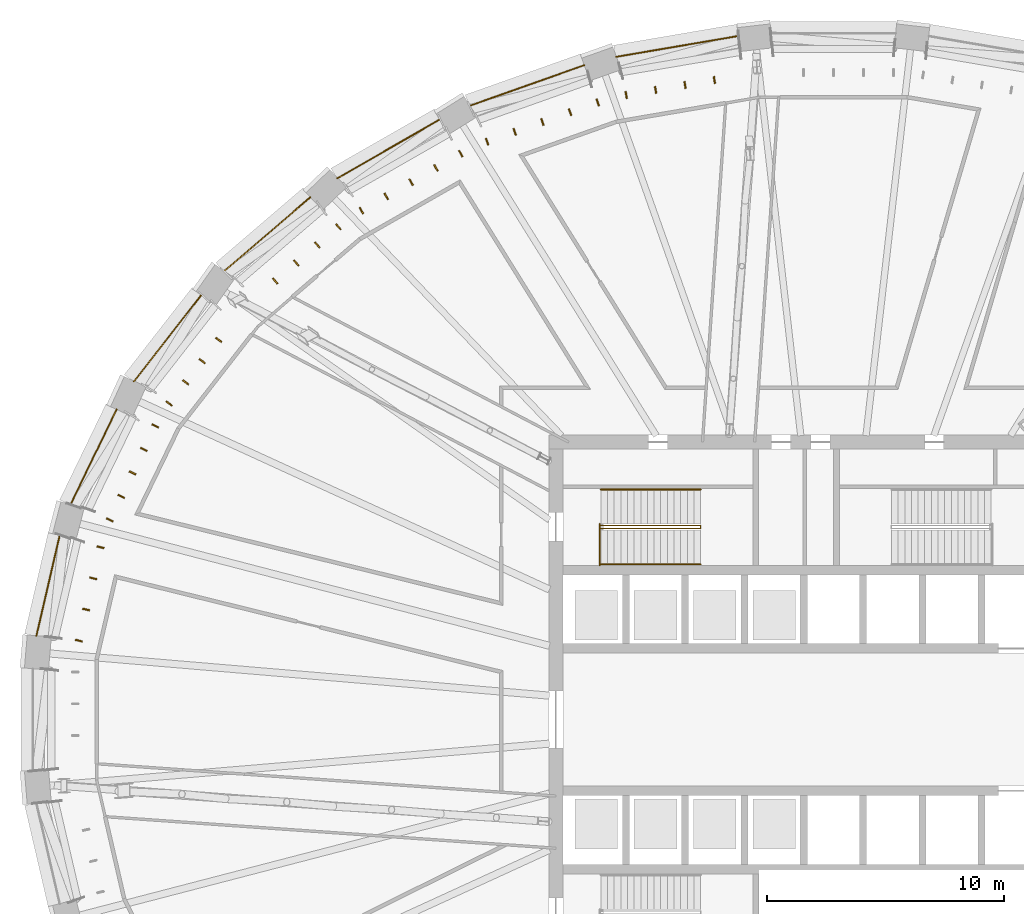
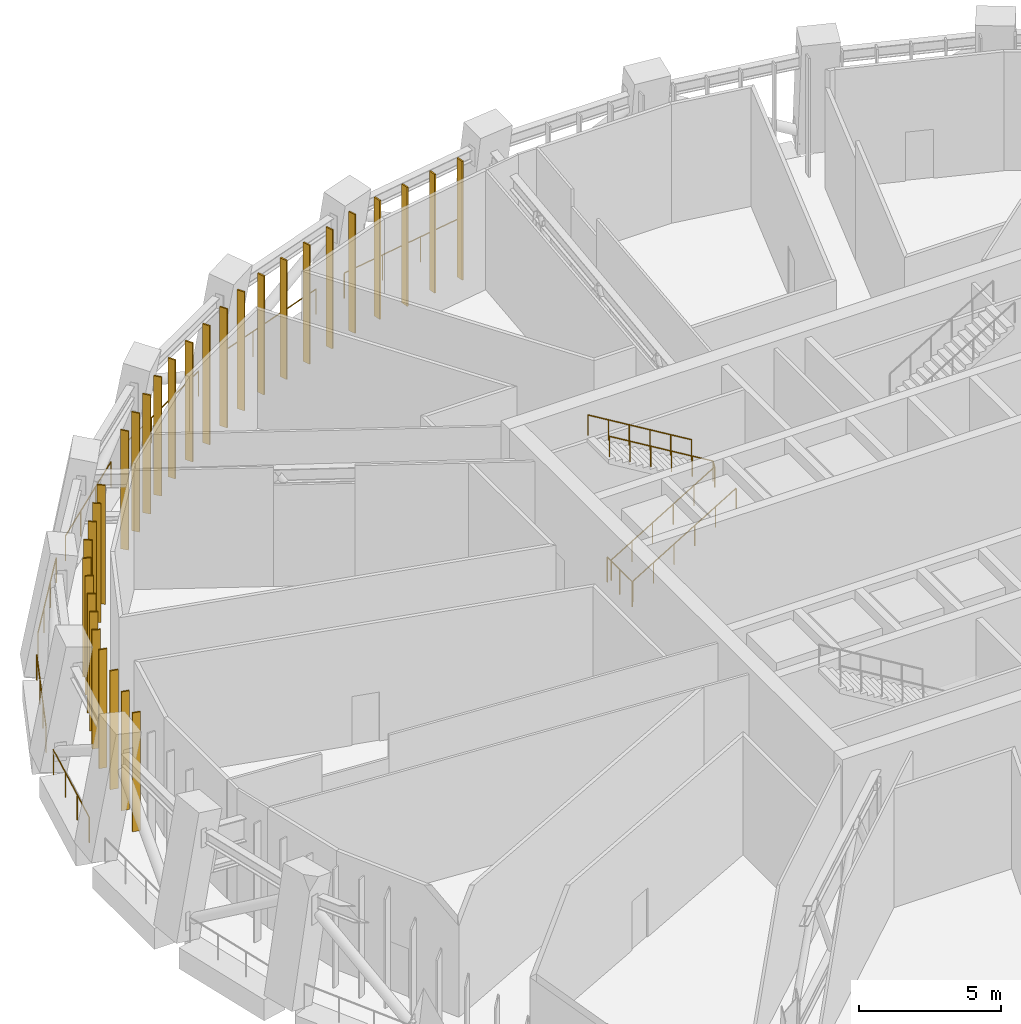
# One storey, part 18 of 21: 31 shading devices, 11 railings.
"""IFC4 building model written with IfcOpenShell, lengths in metres."""

import ifcopenshell
import ifcopenshell.guid

model = None  # the IFC model being written
_history = None  # IfcOwnerHistory: only IFC2X3 demands one
_inside = {}  # id of a spatial element -> (the spatial element, [elements in it])
_under = {}  # id of a project, library or spatial element -> (it, [spatial elements below it])
_declared = {}  # id of a project -> (the project, [libraries it declares])
_typed = {}  # id of a type object -> (the type object, [elements of that type])
_made_of = {}  # id of a material, layer set ... -> (it, [elements and type objects made of it])


def new_model(schema):
    """Start an empty IFC model of exactly this schema.

    Asked for "IFC4X3", IfcOpenShell would pick the latest addendum, in which some entities
    have other attributes; the version numbers below select the first issue.
    IFC2X3 requires an IfcOwnerHistory on every rooted entity: one is made here for all.
    """
    global model, _history
    if schema == "IFC4X3":
        model = ifcopenshell.file(schema_version=(4, 3, 0, 0))
    else:
        model = ifcopenshell.file(schema=schema)
    _inside.clear()
    _under.clear()
    _declared.clear()
    _typed.clear()
    _made_of.clear()
    _history = None
    if model.schema == "IFC2X3":
        org = make("IfcOrganization", Name="unknown")
        user = make(
            "IfcPersonAndOrganization",
            ThePerson=make("IfcPerson", FamilyName="unknown"),
            TheOrganization=org,
        )
        app = make(
            "IfcApplication",
            ApplicationDeveloper=org,
            Version="unknown",
            ApplicationFullName="unknown",
            ApplicationIdentifier="unknown",
        )
        _history = make(
            "IfcOwnerHistory",
            OwningUser=user,
            OwningApplication=app,
            ChangeAction="ADDED",
            CreationDate=0,
        )
    return model


def make(cls, **values):
    """One entity of the class cls with the attributes given. An attribute that is None is left unset."""
    return model.create_entity(
        cls, **{name: value for name, value in values.items() if value is not None}
    )


def rooted(cls, **values):
    """An entity with a GlobalId (a new one), such as an element, a storey or a relation."""
    return make(cls, GlobalId=ifcopenshell.guid.new(), OwnerHistory=_history, **values)


def si_unit(unit_type, name, prefix=None):
    """IfcSIUnit, for example si_unit("LENGTHUNIT", "METRE", prefix="MILLI")."""
    return make("IfcSIUnit", UnitType=unit_type, Prefix=prefix, Name=name)


def assignment(units):
    """IfcUnitAssignment: the units of a project."""
    return None if units is None else make("IfcUnitAssignment", Units=units)


def point(xyz):
    """IfcCartesianPoint."""
    return None if xyz is None else make("IfcCartesianPoint", Coordinates=xyz)


def direction(xyz):
    """IfcDirection."""
    return None if xyz is None else make("IfcDirection", DirectionRatios=xyz)


def frame(location, z_axis=None, x_axis=None):
    """IfcAxis2Placement3D, a coordinate frame: its origin and axes. An axis left out is left unset."""
    return make(
        "IfcAxis2Placement3D",
        Location=point(location),
        Axis=direction(z_axis),
        RefDirection=direction(x_axis),
    )


def frame_2d(location, x_axis=None):
    """IfcAxis2Placement2D, a coordinate frame in the plane: its origin and x axis."""
    return make(
        "IfcAxis2Placement2D", Location=point(location), RefDirection=direction(x_axis)
    )


def origin():
    """The frame at (0, 0, 0) with its axes left unset."""
    return frame((0.0, 0.0, 0.0))


def origin_2d():
    """The frame at (0, 0) in the plane with its x axis left unset."""
    return frame_2d((0.0, 0.0))


def place(relative_to, where):
    """IfcLocalPlacement: puts the frame where relative to a parent placement (None: the world)."""
    return make(
        "IfcLocalPlacement", PlacementRelTo=relative_to, RelativePlacement=where
    )


def context(
    kind, dimensions, precision=None, world=None, true_north=None, identifier=None
):
    """IfcGeometricRepresentationContext, for example the 3D "Model" context."""
    return make(
        "IfcGeometricRepresentationContext",
        ContextIdentifier=identifier,
        ContextType=kind,
        CoordinateSpaceDimension=dimensions,
        Precision=precision,
        WorldCoordinateSystem=world,
        TrueNorth=true_north,
    )


def subcontext(parent, identifier, kind, view, scale=None):
    """IfcGeometricRepresentationSubContext, for example "Body" below "Model"."""
    return make(
        "IfcGeometricRepresentationSubContext",
        ContextIdentifier=identifier,
        ContextType=kind,
        ParentContext=parent,
        TargetScale=scale,
        TargetView=view,
    )


def project(units=None, contexts=None):
    """IfcProject with its units and contexts."""
    return rooted(
        "IfcProject",
        Name="project",
        RepresentationContexts=contexts,
        UnitsInContext=assignment(units),
    )


def spatial(cls, under=None, at=None, **own):
    """A site, building, storey or space (cls), placed at a placement, below another one or the project."""
    s = rooted(cls, ObjectPlacement=at, **own)
    if under is not None:
        _under.setdefault(under.id(), (under, []))[1].append(s)
    return s


def profile(cls, at=None, kind="AREA", **sizes):
    """A parametric profile (cls). Its sizes go by their IFC names, for example OverallWidth=200.0."""
    return make(cls, ProfileType=kind, Position=at, **sizes)


def rectangle(**sizes):
    """IfcRectangleProfileDef."""
    return profile("IfcRectangleProfileDef", **sizes)


def circle(**sizes):
    """IfcCircleProfileDef."""
    return profile("IfcCircleProfileDef", **sizes)


def extrude(swept, where, along, depth):
    """IfcExtrudedAreaSolid: the profile swept, set in the frame where, extruded along a direction by depth."""
    return make(
        "IfcExtrudedAreaSolid",
        SweptArea=swept,
        Position=where,
        ExtrudedDirection=direction(along),
        Depth=depth,
    )


def shape(context_of_items, identifier, shape_type, items):
    """IfcShapeRepresentation: the items that make up one representation, for example the "Body"."""
    return make(
        "IfcShapeRepresentation",
        ContextOfItems=context_of_items,
        RepresentationIdentifier=identifier,
        RepresentationType=shape_type,
        Items=items,
    )


def material(Name=None, Category=None):
    """IfcMaterial."""
    return make("IfcMaterial", Name=Name, Category=Category)


def material_profile(
    of_material, cross_section, Name=None, Category=None, Priority=None
):
    """IfcMaterialProfile: a cross section and its material."""
    return make(
        "IfcMaterialProfile",
        Name=Name,
        Material=of_material,
        Profile=cross_section,
        Priority=Priority,
        Category=Category,
    )


def profile_set(profiles, Name=None, composite=None):
    """IfcMaterialProfileSet."""
    return make(
        "IfcMaterialProfileSet",
        Name=Name,
        MaterialProfiles=profiles,
        CompositeProfile=composite,
    )


def made_of(thing, what):
    """Note that an element or type object is made of a material, layer set ...; save() writes the relation."""
    if what is not None:
        _made_of.setdefault(what.id(), (what, []))[1].append(thing)
    return thing


def type_object(cls, material=None, **own):
    """A type object (cls), such as IfcWallType, which elements share."""
    return made_of(rooted(cls, **own), material)


def element(
    cls,
    number,
    at=None,
    inside=None,
    cuts=None,
    type_object=None,
    material=None,
    context=None,
    identifier="Body",
    shape_type=None,
    held_by="IfcProductDefinitionShape",
    body=None,
    shapes=None,
    **own,
):
    """One element of the class cls, such as IfcWall. Its Tag is "e" and its number.

    at: its placement. inside: the storey or other place that contains it. cuts: it is an
    opening in that element (IfcRelVoidsElement). A single representation is given by context,
    identifier, shape_type and body (its items); several are given by shapes. held_by: the class
    of the entity that holds the representations. save() writes the other relations.
    """
    e = rooted(cls, Tag="e%d" % number, ObjectPlacement=at, **own)
    if body is not None:
        shapes = [shape(context, identifier, shape_type, body)]
    if shapes is not None:
        e.Representation = make(held_by, Representations=shapes)
    if inside is not None:
        _inside.setdefault(inside.id(), (inside, []))[1].append(e)
    if cuts is not None:
        rooted(
            "IfcRelVoidsElement", RelatingBuildingElement=cuts, RelatedOpeningElement=e
        )
    if type_object is not None:
        _typed.setdefault(type_object.id(), (type_object, []))[1].append(e)
    return made_of(e, material)


def aggregate(whole, parts):
    """IfcRelAggregates: a whole, such as a stair, and the parts it consists of."""
    return rooted("IfcRelAggregates", RelatingObject=whole, RelatedObjects=parts)


def save(model, path):
    """Write the relations noted so far, then the file.

    IfcRelAggregates (storeys below a building ...), IfcRelContainedInSpatialStructure (elements
    in a storey), IfcRelDefinesByType, IfcRelAssociatesMaterial and IfcRelDeclares: one each for
    every whole, place, type object, material and project.
    """
    for whole, parts in _under.values():
        aggregate(whole, parts)
    for where, things in _inside.values():
        rooted(
            "IfcRelContainedInSpatialStructure",
            RelatedElements=things,
            RelatingStructure=where,
        )
    for kind, things in _typed.values():
        rooted("IfcRelDefinesByType", RelatedObjects=things, RelatingType=kind)
    for what, things in _made_of.values():
        rooted("IfcRelAssociatesMaterial", RelatedObjects=things, RelatingMaterial=what)
    for by, libraries in _declared.values():
        rooted("IfcRelDeclares", RelatingContext=by, RelatedDefinitions=libraries)
    model.write(path)


model = new_model("IFC4")

# Units and contexts
model_context = context("Model", 3, precision=1e-05, world=origin(), true_north=direction((0.0, 1.0)))
body_context = subcontext(model_context, "Body", "Model", "MODEL_VIEW")
ifc_project = project(units=[si_unit("LENGTHUNIT", "METRE"), si_unit("AREAUNIT", "SQUARE_METRE"), si_unit("VOLUMEUNIT", "CUBIC_METRE"), si_unit("PLANEANGLEUNIT", "RADIAN"), si_unit("MASSUNIT", "GRAM", prefix="KILO")], contexts=[model_context])

# Site, building, storey
site_placement = place(None, origin())
site = spatial("IfcSite", under=ifc_project, at=site_placement, CompositionType="ELEMENT")
building_placement = place(site_placement, origin())
building = spatial("IfcBuilding", under=site, at=building_placement, Name="Halqa Exchange Tower", CompositionType="ELEMENT")
storey_placement = place(building_placement, frame((0.0, 0.0, 173.5)))
storey = spatial("IfcBuildingStorey", under=building, at=storey_placement, Name="L39", CompositionType="ELEMENT", Elevation=173.5)

# Shading devices
ifc_material_1 = material(Name="Anodised aluminium", Category="aluminium")
ifc_material_profile = material_profile(ifc_material_1, rectangle(XDim=0.300048828125, YDim=0.06005859375, at=origin_2d()), Name="AL FIN 300x60")
ifc_profile_set = profile_set([ifc_material_profile], Name="Anodised aluminium")
shading_device_type = type_object("IfcShadingDeviceType", Name="Aluminium louvre FIN 300 x 60", PredefinedType="USERDEFINED", material=ifc_profile_set)
for number, where, z_axis, x_axis, name in (
    (1, (-5.017578125, 26.96533203125, 0.0), (0.0, 0.0, 1.0), (0.168073033291, -0.985774545969, 0.0), "Louvre FIN 9.2"),
    (2, (-6.256591796875, 26.754150390625, 0.0), (0.0, 0.0, 1.0), (0.168073033291, -0.985774545969, 0.0), "Louvre FIN 9.3"),
    (3, (-7.49560546875, 26.54296875, 0.0), (0.0, 0.0, 1.0), (0.168073033291, -0.985774545969, 0.0), "Louvre FIN 9.4"),
    (4, (-8.734619140625, 26.33154296875, 0.0), (0.0, 0.0, 1.0), (0.168073033291, -0.985774545969, 0.0), "Louvre FIN 9.5"),
    (5, (-9.93701171875, 26.01904296875, 0.0), (0.0, 0.0, 1.0), (0.334580000129, -0.94236735062, 0.0), "Louvre FIN 10.1"),
    (6, (-11.102783203125, 25.60498046875, 0.0), (0.0, 0.0, 1.0), (0.334580000129, -0.94236735062, 0.0), "Louvre FIN 10.2"),
    (7, (-12.268798828125, 25.191162109375, 0.0), (0.0, 0.0, 1.0), (0.334580000129, -0.94236735062, 0.0), "Louvre FIN 10.3"),
    (8, (-13.434814453125, 24.777099609375, 0.0), (0.0, 0.0, 1.0), (0.334580000129, -0.94236735062, 0.0), "Louvre FIN 10.4"),
    (9, (-14.6005859375, 24.36328125, 0.0), (0.0, 0.0, 1.0), (0.334580000129, -0.94236735062, 0.0), "Louvre FIN 10.5"),
    (10, (-15.70751953125, 23.856201171875, 0.0), (0.0, 0.0, 1.0), (0.496981533691, -0.86776111642, 0.0), "Louvre FIN 11.1"),
    (11, (-16.7548828125, 23.256103515625, 0.0), (0.0, 0.0, 1.0), (0.496981533691, -0.86776111642, 0.0), "Louvre FIN 11.2"),
    (12, (-17.802490234375, 22.65625, 0.0), (0.0, 0.0, 1.0), (0.496981533691, -0.86776111642, 0.0), "Louvre FIN 11.3"),
    (13, (-18.850341796875, 22.056396484375, 0.0), (0.0, 0.0, 1.0), (0.496981533691, -0.86776111642, 0.0), "Louvre FIN 11.4"),
    (14, (-19.89794921875, 21.456298828125, 0.0), (0.0, 0.0, 1.0), (0.496981533691, -0.86776111642, 0.0), "Louvre FIN 11.5"),
    (15, (-20.8662109375, 20.775390625, 0.0), (0.0, 0.0, 1.0), (0.65078481863, -0.759262220739, 0.0), "Louvre FIN 12.1"),
    (16, (-21.755126953125, 20.01318359375, 0.0), (0.0, 0.0, 1.0), (0.65078481863, -0.759262220739, 0.0), "Louvre FIN 12.2"),
    (17, (-22.644287109375, 19.251220703125, 0.0), (0.0, 0.0, 1.0), (0.65078481863, -0.759262220739, 0.0), "Louvre FIN 12.3"),
    (18, (-23.533203125, 18.4892578125, 0.0), (0.0, 0.0, 1.0), (0.65078481863, -0.759262220739, 0.0), "Louvre FIN 12.4"),
    (19, (-25.911865234375, 16.005615234375, 0.0), (0.0, 0.0, 1.0), (0.788686159236, -0.614796016765, 0.0), "Louvre FIN 13.2"),
    (20, (-26.608642578125, 15.11181640625, 0.0), (0.0, 0.0, 1.0), (0.788686159236, -0.614796016765, 0.0), "Louvre FIN 13.3"),
    (21, (-27.305419921875, 14.218017578125, 0.0), (0.0, 0.0, 1.0), (0.788686159236, -0.614796016765, 0.0), "Louvre FIN 13.4"),
    (22, (-28.002197265625, 13.32421875, 0.0), (0.0, 0.0, 1.0), (0.788686159236, -0.614796016765, 0.0), "Louvre FIN 13.5"),
    (23, (-28.58984375, 12.3818359375, 0.0), (0.0, 0.0, 1.0), (0.900378013542, -0.43510852983, 0.0), "Louvre FIN 14.1"),
    (24, (-29.068603515625, 11.39111328125, 0.0), (0.0, 0.0, 1.0), (0.900378013542, -0.43510852983, 0.0), "Louvre FIN 14.2"),
    (25, (-29.547607421875, 10.400390625, 0.0), (0.0, 0.0, 1.0), (0.900378013542, -0.43510852983, 0.0), "Louvre FIN 14.3"),
    (26, (-30.026123046875, 9.40966796875, 0.0), (0.0, 0.0, 1.0), (0.900378013542, -0.43510852983, 0.0), "Louvre FIN 14.4"),
    (27, (-30.5048828125, 8.4189453125, 0.0), (0.0, 0.0, 1.0), (0.900378013542, -0.43510852983, 0.0), "Louvre FIN 14.5"),
    (28, (-30.896728515625, 7.267333984375, 0.0), (0.0, 0.0, 1.0), (0.974111871643, -0.226066498012, 0.0), "Louvre FIN 15.1"),
    (29, (-31.201171875, 5.955078125, 0.0), (0.0, 0.0, 1.0), (0.974111871643, -0.226066498012, 0.0), "Louvre FIN 15.2"),
    (30, (-31.505859375, 4.642822265625, 0.0), (0.0, 0.0, 1.0), (0.974111871643, -0.226066498012, 0.0), "Louvre FIN 15.3"),
    (31, (-31.810302734375, 3.330322265625, 0.0), (0.0, 0.0, 1.0), (0.974111871643, -0.226066498012, 0.0), "Louvre FIN 15.4"),
):
    element("IfcShadingDevice", number, at=place(storey_placement, frame(where, z_axis=z_axis, x_axis=x_axis)), inside=storey, type_object=shading_device_type, Name=name, ObjectType="FIN", PredefinedType="USERDEFINED", context=body_context, shape_type="SweptSolid", body=[
        extrude(rectangle(XDim=0.300048828125, YDim=0.06005859375, at=origin_2d()), origin(), (0.0, 0.0, 1.0), 5.10009765625),
    ])

# Railings
ifc_material_2 = material(Name="Stainless steel", Category="steel")
railing_type_1 = type_object("IfcRailingType", Name="Guard 1100 stainless steel", PredefinedType="GUARDRAIL", material=ifc_material_2)
railing_1_placement = place(storey_placement, frame((-4.014892578125, 28.817626953125, 0.0)))
element("IfcRailing", 32, at=railing_1_placement, inside=storey, type_object=railing_type_1, Name="Band edge guard 9", PredefinedType="GUARDRAIL", context=body_context, shape_type="SweptSolid", body=[
    extrude(circle(Radius=0.02392578125, at=origin_2d()), frame((0.0, 0.0, 1.076171875), z_axis=(-0.98577352138, -0.168079042556, 0.0), x_axis=(0.168079042556, -0.98577352138, 0.0)), (0.0, 0.0, 1.0), 5.216064453125),
    extrude(circle(Radius=0.02099609375, at=origin_2d()), origin(), (0.0, 0.0, 1.0), 1.052001953125),
    extrude(circle(Radius=0.02099609375, at=origin_2d()), frame((-1.7138671875, -0.292236328125, 0.0)), (0.0, 0.0, 1.0), 1.052001953125),
    extrude(circle(Radius=0.02099609375, at=origin_2d()), frame((-3.427978515625, -0.58447265625, 0.0)), (0.0, 0.0, 1.0), 1.052001953125),
    extrude(circle(Radius=0.02099609375, at=origin_2d()), frame((-5.141845703125, -0.876708984375, 0.0)), (0.0, 0.0, 1.0), 1.052001953125),
])
railing_2_placement = place(storey_placement, frame((-10.50634765625, 27.589111328125, 0.0)))
element("IfcRailing", 33, at=railing_2_placement, inside=storey, type_object=railing_type_1, Name="Band edge guard 10", PredefinedType="GUARDRAIL", context=body_context, shape_type="SweptSolid", body=[
    extrude(circle(Radius=0.02392578125, at=origin_2d()), frame((0.0, 0.0, 1.076171875), z_axis=(-0.942361789269, -0.334595663639, 0.0), x_axis=(0.334595663639, -0.942361789269, 0.0)), (0.0, 0.0, 1.0), 5.119384765625),
    extrude(circle(Radius=0.02099609375, at=origin_2d()), origin(), (0.0, 0.0, 1.0), 1.052001953125),
    extrude(circle(Radius=0.02099609375, at=origin_2d()), frame((-1.608154296875, -0.571044921875, 0.0)), (0.0, 0.0, 1.0), 1.052001953125),
    extrude(circle(Radius=0.02099609375, at=origin_2d()), frame((-3.216064453125, -1.141845703125, 0.0)), (0.0, 0.0, 1.0), 1.052001953125),
    extrude(circle(Radius=0.02099609375, at=origin_2d()), frame((-4.82421875, -1.712890625, 0.0)), (0.0, 0.0, 1.0), 1.052001953125),
])
railing_3_placement = place(storey_placement, frame((-16.59765625, 25.294189453125, 0.0)))
element("IfcRailing", 34, at=railing_3_placement, inside=storey, type_object=railing_type_1, Name="Band edge guard 11", PredefinedType="GUARDRAIL", context=body_context, shape_type="SweptSolid", body=[
    extrude(circle(Radius=0.02392578125, at=origin_2d()), frame((0.0, 0.0, 1.076171875), z_axis=(-0.867750144397, -0.497000691044, 0.0), x_axis=(0.497000691044, -0.867750144397, 0.0)), (0.0, 0.0, 1.0), 4.9716796875),
    extrude(circle(Radius=0.02099609375, at=origin_2d()), origin(), (0.0, 0.0, 1.0), 1.052001953125),
    extrude(circle(Radius=0.02099609375, at=origin_2d()), frame((-1.43798828125, -0.82373046875, 0.0)), (0.0, 0.0, 1.0), 1.052001953125),
    extrude(circle(Radius=0.02099609375, at=origin_2d()), frame((-2.876220703125, -1.647216796875, 0.0)), (0.0, 0.0, 1.0), 1.052001953125),
    extrude(circle(Radius=0.02099609375, at=origin_2d()), frame((-4.314208984375, -2.470947265625, 0.0)), (0.0, 0.0, 1.0), 1.052001953125),
])
railing_4_placement = place(storey_placement, frame((-22.05078125, 22.019775390625, 0.0)))
element("IfcRailing", 35, at=railing_4_placement, inside=storey, type_object=railing_type_1, Name="Band edge guard 12", PredefinedType="GUARDRAIL", context=body_context, shape_type="SweptSolid", body=[
    extrude(circle(Radius=0.02392578125, at=origin_2d()), frame((0.0, 0.0, 1.076171875), z_axis=(-0.759270984469, -0.65077459396, 0.0), x_axis=(0.65077459396, -0.759270984469, 0.0)), (0.0, 0.0, 1.0), 4.79296875),
    extrude(circle(Radius=0.02099609375, at=origin_2d()), origin(), (0.0, 0.0, 1.0), 1.052001953125),
    extrude(circle(Radius=0.02099609375, at=origin_2d()), frame((-1.213134765625, -1.039794921875, 0.0)), (0.0, 0.0, 1.0), 1.052001953125),
    extrude(circle(Radius=0.02099609375, at=origin_2d()), frame((-2.426025390625, -2.079345703125, 0.0)), (0.0, 0.0, 1.0), 1.052001953125),
    extrude(circle(Radius=0.02099609375, at=origin_2d()), frame((-3.63916015625, -3.119140625, 0.0)), (0.0, 0.0, 1.0), 1.052001953125),
])
railing_5_placement = place(storey_placement, frame((-26.65185546875, 17.89306640625, 0.0)))
element("IfcRailing", 36, at=railing_5_placement, inside=storey, type_object=railing_type_1, Name="Band edge guard 13", PredefinedType="GUARDRAIL", context=body_context, shape_type="SweptSolid", body=[
    extrude(circle(Radius=0.02392578125, at=origin_2d()), frame((0.0, 0.0, 1.076171875), z_axis=(-0.614787396714, -0.788692878655, 0.0), x_axis=(0.788692878655, -0.614787396714, 0.0)), (0.0, 0.0, 1.0), 4.60888671875),
    extrude(circle(Radius=0.02099609375, at=origin_2d()), origin(), (0.0, 0.0, 1.0), 1.052001953125),
    extrude(circle(Radius=0.02099609375, at=origin_2d()), frame((-0.944580078125, -1.211669921875, 0.0)), (0.0, 0.0, 1.0), 1.052001953125),
    extrude(circle(Radius=0.02099609375, at=origin_2d()), frame((-1.888916015625, -2.42333984375, 0.0)), (0.0, 0.0, 1.0), 1.052001953125),
    extrude(circle(Radius=0.02099609375, at=origin_2d()), frame((-2.83349609375, -3.635009765625, 0.0)), (0.0, 0.0, 1.0), 1.052001953125),
])
railing_6_placement = place(storey_placement, frame((-30.22021484375, 13.07568359375, 0.0)))
element("IfcRailing", 37, at=railing_6_placement, inside=storey, type_object=railing_type_1, Name="Band edge guard 14", PredefinedType="GUARDRAIL", context=body_context, shape_type="SweptSolid", body=[
    extrude(circle(Radius=0.02392578125, at=origin_2d()), frame((0.0, 0.0, 1.076171875), z_axis=(-0.435143450916, -0.900361137058, 0.0), x_axis=(0.900361137058, -0.435143450916, 0.0)), (0.0, 0.0, 1.0), 4.44873046875),
    extrude(circle(Radius=0.02099609375, at=origin_2d()), origin(), (0.0, 0.0, 1.0), 1.052001953125),
    extrude(circle(Radius=0.02099609375, at=origin_2d()), frame((-0.645263671875, -1.335205078125, 0.0)), (0.0, 0.0, 1.0), 1.052001953125),
    extrude(circle(Radius=0.02099609375, at=origin_2d()), frame((-1.29052734375, -2.670166015625, 0.0)), (0.0, 0.0, 1.0), 1.052001953125),
    extrude(circle(Radius=0.02099609375, at=origin_2d()), frame((-1.935791015625, -4.00537109375, 0.0)), (0.0, 0.0, 1.0), 1.052001953125),
])
railing_7_placement = place(storey_placement, frame((-32.61865234375, 7.75830078125, 0.0)))
element("IfcRailing", 38, at=railing_7_placement, inside=storey, type_object=railing_type_1, Name="Band edge guard 15", PredefinedType="GUARDRAIL", context=body_context, shape_type="SweptSolid", body=[
    extrude(circle(Radius=0.02392578125, at=origin_2d()), frame((0.0, 0.0, 1.076171875), z_axis=(-0.226083943623, -0.974107822798, 0.0), x_axis=(0.974107822798, -0.226083943623, 0.0)), (0.0, 0.0, 1.0), 4.3388671875),
    extrude(circle(Radius=0.02099609375, at=origin_2d()), origin(), (0.0, 0.0, 1.0), 1.052001953125),
    extrude(circle(Radius=0.02099609375, at=origin_2d()), frame((-0.326904296875, -1.408935546875, 0.0)), (0.0, 0.0, 1.0), 1.052001953125),
    extrude(circle(Radius=0.02099609375, at=origin_2d()), frame((-0.654052734375, -2.817626953125, 0.0)), (0.0, 0.0, 1.0), 1.052001953125),
    extrude(circle(Radius=0.02099609375, at=origin_2d()), frame((-0.98095703125, -4.2265625, 0.0)), (0.0, 0.0, 1.0), 1.052001953125),
])
railing_type_2 = type_object("IfcRailingType", Name="Stair handrail 900", PredefinedType="HANDRAIL", material=ifc_material_2)
railing_8_placement = place(storey_placement, frame((-9.800048828125, 8.06005859375, 0.168701171875)))
element("IfcRailing", 39, at=railing_8_placement, inside=storey, type_object=railing_type_2, Name="Handrail ST1.1", PredefinedType="HANDRAIL", context=body_context, shape_type="SweptSolid", body=[
    extrude(circle(Radius=0.02392578125, at=origin_2d()), frame((0.0, 0.0, 0.8759765625), z_axis=(0.856476492594, 0.0, 0.516186030065), x_axis=(0.0, 1.0, 0.0)), (0.0, 0.0, 1.0), 4.90380859375),
    extrude(circle(Radius=0.02392578125, at=origin_2d()), frame((4.199951171875, 0.0, 3.4072265625), z_axis=(0.0, 0.610043206925, 0.792368150348), x_axis=(-1.0, 0.0, 0.0)), (0.0, 0.0, 1.0), 0.212890625),
    extrude(circle(Radius=0.02392578125, at=origin_2d()), frame((4.199951171875, 0.1298828125, 3.57568359375), z_axis=(-0.856476492594, 0.0, 0.516186030065), x_axis=(0.0, -1.0, 0.0)), (0.0, 0.0, 1.0), 4.90380859375),
    extrude(circle(Radius=0.02099609375, at=origin_2d()), origin(), (0.0, 0.0, 1.0), 0.851806640625),
    extrude(circle(Radius=0.02099609375, at=origin_2d()), frame((0.840087890625, 0.0, 0.50634765625)), (0.0, 0.0, 1.0), 0.851806640625),
    extrude(circle(Radius=0.02099609375, at=origin_2d()), frame((1.679931640625, 0.0, 1.012451171875)), (0.0, 0.0, 1.0), 0.851806640625),
    extrude(circle(Radius=0.02099609375, at=origin_2d()), frame((2.52001953125, 0.0, 1.518798828125)), (0.0, 0.0, 1.0), 0.851806640625),
    extrude(circle(Radius=0.02099609375, at=origin_2d()), frame((3.35986328125, 0.0, 2.02490234375)), (0.0, 0.0, 1.0), 0.851806640625),
    extrude(circle(Radius=0.02099609375, at=origin_2d()), frame((4.199951171875, 0.0, 2.53125)), (0.0, 0.0, 1.0), 0.851806640625),
    extrude(circle(Radius=0.02099609375, at=origin_2d()), frame((4.199951171875, 0.1298828125, 2.699951171875)), (0.0, 0.0, 1.0), 0.851806640625),
    extrude(circle(Radius=0.02099609375, at=origin_2d()), frame((3.35986328125, 0.1298828125, 3.206298828125)), (0.0, 0.0, 1.0), 0.851806640625),
    extrude(circle(Radius=0.02099609375, at=origin_2d()), frame((2.52001953125, 0.1298828125, 3.71240234375)), (0.0, 0.0, 1.0), 0.851806640625),
    extrude(circle(Radius=0.02099609375, at=origin_2d()), frame((1.679931640625, 0.1298828125, 4.21875)), (0.0, 0.0, 1.0), 0.851806640625),
    extrude(circle(Radius=0.02099609375, at=origin_2d()), frame((0.840087890625, 0.1298828125, 4.724853515625)), (0.0, 0.0, 1.0), 0.851806640625),
    extrude(circle(Radius=0.02099609375, at=origin_2d()), frame((0.0, 0.1298828125, 5.231201171875)), (0.0, 0.0, 1.0), 0.851806640625),
])
railing_9_placement = place(storey_placement, frame((-9.800048828125, 6.550048828125, 0.168701171875)))
element("IfcRailing", 40, at=railing_9_placement, inside=storey, type_object=railing_type_2, Name="Handrail ST1.2", PredefinedType="HANDRAIL", context=body_context, shape_type="SweptSolid", body=[
    extrude(circle(Radius=0.02392578125, at=origin_2d()), frame((0.0, 0.0, 0.8759765625), z_axis=(0.856476492594, 0.0, 0.516186030065), x_axis=(0.0, 1.0, 0.0)), (0.0, 0.0, 1.0), 4.90380859375),
    extrude(circle(Radius=0.02099609375, at=origin_2d()), origin(), (0.0, 0.0, 1.0), 0.851806640625),
    extrude(circle(Radius=0.02099609375, at=origin_2d()), frame((0.840087890625, 0.0, 0.50634765625)), (0.0, 0.0, 1.0), 0.851806640625),
    extrude(circle(Radius=0.02099609375, at=origin_2d()), frame((1.679931640625, 0.0, 1.012451171875)), (0.0, 0.0, 1.0), 0.851806640625),
    extrude(circle(Radius=0.02099609375, at=origin_2d()), frame((2.52001953125, 0.0, 1.518798828125)), (0.0, 0.0, 1.0), 0.851806640625),
    extrude(circle(Radius=0.02099609375, at=origin_2d()), frame((3.35986328125, 0.0, 2.02490234375)), (0.0, 0.0, 1.0), 0.851806640625),
    extrude(circle(Radius=0.02099609375, at=origin_2d()), frame((4.199951171875, 0.0, 2.53125)), (0.0, 0.0, 1.0), 0.851806640625),
])
railing_10_placement = place(storey_placement, frame((-5.60009765625, 9.699951171875, 2.86865234375)))
element("IfcRailing", 41, at=railing_10_placement, inside=storey, type_object=railing_type_2, Name="Handrail ST1.3", PredefinedType="HANDRAIL", context=body_context, shape_type="SweptSolid", body=[
    extrude(circle(Radius=0.02392578125, at=origin_2d()), frame((0.0, 0.0, 0.8759765625), z_axis=(-0.856476492594, 0.0, 0.516186030065), x_axis=(0.0, -1.0, 0.0)), (0.0, 0.0, 1.0), 4.90380859375),
    extrude(circle(Radius=0.02099609375, at=origin_2d()), origin(), (0.0, 0.0, 1.0), 0.851806640625),
    extrude(circle(Radius=0.02099609375, at=origin_2d()), frame((-0.840087890625, 0.0, 0.50634765625)), (0.0, 0.0, 1.0), 0.851806640625),
    extrude(circle(Radius=0.02099609375, at=origin_2d()), frame((-1.679931640625, 0.0, 1.012451171875)), (0.0, 0.0, 1.0), 0.851806640625),
    extrude(circle(Radius=0.02099609375, at=origin_2d()), frame((-2.52001953125, 0.0, 1.518798828125)), (0.0, 0.0, 1.0), 0.851806640625),
    extrude(circle(Radius=0.02099609375, at=origin_2d()), frame((-3.35986328125, 0.0, 2.02490234375)), (0.0, 0.0, 1.0), 0.851806640625),
    extrude(circle(Radius=0.02099609375, at=origin_2d()), frame((-4.199951171875, 0.0, 2.53125)), (0.0, 0.0, 1.0), 0.851806640625),
])
railing_type_3 = type_object("IfcRailingType", Name="Stair well guard 1100", PredefinedType="GUARDRAIL", material=ifc_material_2)
railing_11_placement = place(storey_placement, frame((-9.85009765625, 6.5, 0.0)))
element("IfcRailing", 42, at=railing_11_placement, inside=storey, type_object=railing_type_3, Name="Guard ST1 well", PredefinedType="GUARDRAIL", context=body_context, shape_type="SweptSolid", body=[
    extrude(circle(Radius=0.02392578125, at=origin_2d()), frame((0.0, 0.0, 1.076171875), z_axis=(0.0, 1.0, 0.0), x_axis=(-1.0, 0.0, 0.0)), (0.0, 0.0, 1.0), 1.75),
    extrude(circle(Radius=0.02099609375, at=origin_2d()), origin(), (0.0, 0.0, 1.0), 1.052001953125),
    extrude(circle(Radius=0.02099609375, at=origin_2d()), frame((0.0, 0.875, 0.0)), (0.0, 0.0, 1.0), 1.052001953125),
    extrude(circle(Radius=0.02099609375, at=origin_2d()), frame((0.0, 1.75, 0.0)), (0.0, 0.0, 1.0), 1.052001953125),
])

save(model, "model.ifc")
